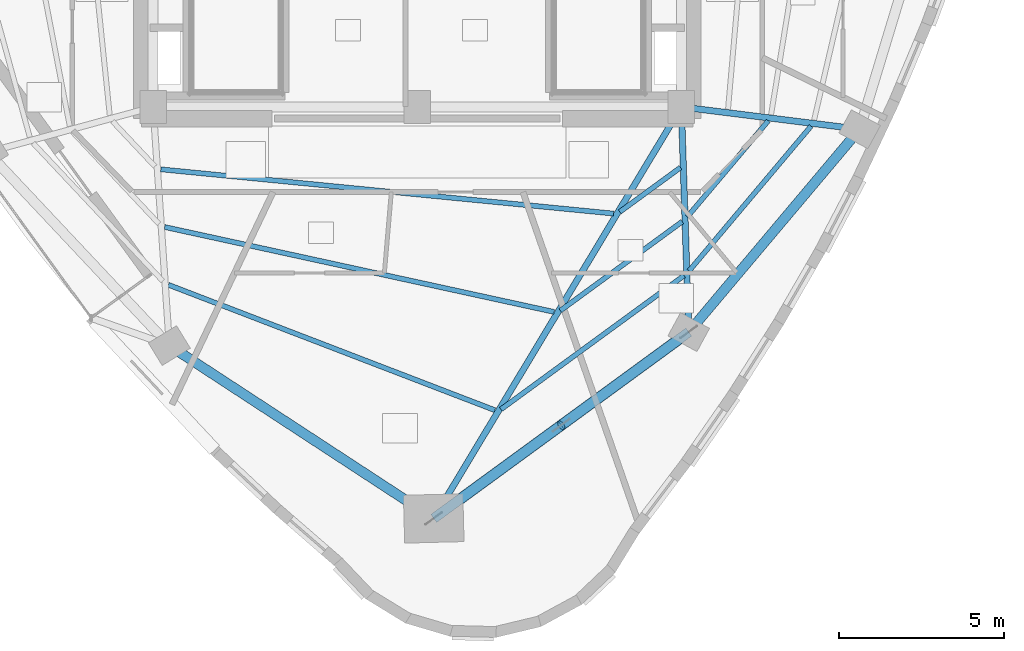
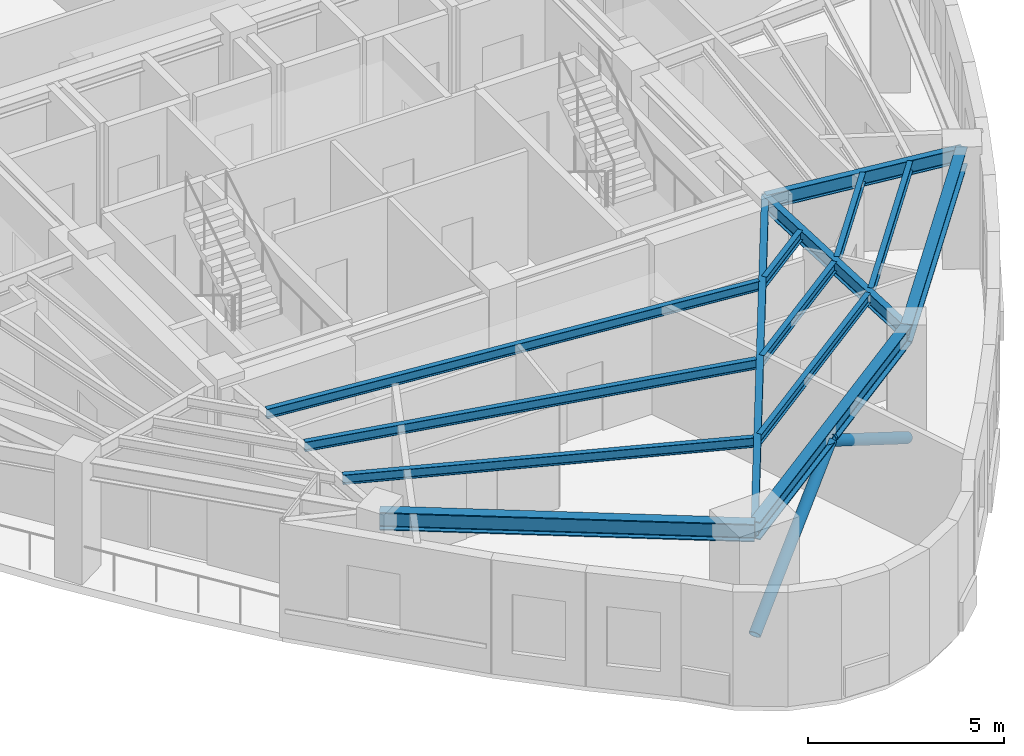
# One storey, part 3 of 13: 14 beams, 2 members.
"""IFC4 building model written with IfcOpenShell, lengths in metres."""

from ifc_helpers import new_model, si_unit, direction, frame, origin, origin_2d, place, context, subcontext, project, spatial, hollow_circle, i_section, extrude, material, material_profile, profile_set, type_object, element, save


model = new_model("IFC4")

# Units and contexts
model_context = context("Model", 3, precision=1e-05, world=origin(), true_north=direction((0.0, 1.0)))
body_context = subcontext(model_context, "Body", "Model", "MODEL_VIEW")
ifc_project = project(units=[si_unit("LENGTHUNIT", "METRE"), si_unit("AREAUNIT", "SQUARE_METRE"), si_unit("VOLUMEUNIT", "CUBIC_METRE"), si_unit("PLANEANGLEUNIT", "RADIAN"), si_unit("MASSUNIT", "GRAM", prefix="KILO")], contexts=[model_context])

# Site, building, storey
site_placement = place(None, origin())
site = spatial("IfcSite", under=ifc_project, at=site_placement, CompositionType="ELEMENT")
building_placement = place(site_placement, origin())
building = spatial("IfcBuilding", under=site, at=building_placement, Name="Ndelora Gate Hotel", CompositionType="ELEMENT")
storey_placement = place(building_placement, frame((0.0, 0.0, 235.949951171875)))
storey = spatial("IfcBuildingStorey", under=building, at=storey_placement, Name="L59", CompositionType="ELEMENT", Elevation=235.949951171875)

# Beams
ifc_material = material(Name="Steel S355", Category="steel")
ifc_material_profile_1 = material_profile(ifc_material, i_section(OverallWidth=0.14990234375, OverallDepth=0.300048828125, WebThickness=0.007080078125, FlangeThickness=0.0107421875, FilletRadius=0.014892578125, at=origin_2d()), Name="IPE 300")
ifc_profile_set_1 = profile_set([ifc_material_profile_1], Name="Steel S355")
beam_type_1 = type_object("IfcBeamType", Name="BM-JST-300", PredefinedType="JOIST", material=ifc_profile_set_1)
beam_1_placement = place(storey_placement, frame((-7.767578125, -8.489501953125, 3.400146484375), z_axis=(0.995253727902, -0.097314012848, 0.0), x_axis=(0.097314012848, 0.995253727902, 0.0)))
element("IfcBeam", 1, at=beam_1_placement, inside=storey, type_object=beam_type_1, Name="L59 Secondary Composite Floor Joist IN-4", PredefinedType="JOIST", context=body_context, shape_type="SweptSolid", body=[
    extrude(i_section(OverallWidth=0.14990234375, OverallDepth=0.300048828125, WebThickness=0.007080078125, FlangeThickness=0.0107421875, FilletRadius=0.014892578125, at=origin_2d()), origin(), (0.0, 0.0, 1.0), 13.7783203125),
])
beam_2_placement = place(storey_placement, frame((-7.651611328125, -10.236572265625, 3.400146484375), z_axis=(0.977032906758, -0.213088477191, 0.0), x_axis=(0.213088477191, 0.977032906758, 0.0)))
element("IfcBeam", 2, at=beam_2_placement, inside=storey, type_object=beam_type_1, Name="L59 Secondary Composite Floor Joist MID-4", PredefinedType="JOIST", context=body_context, shape_type="SweptSolid", body=[
    extrude(i_section(OverallWidth=0.14990234375, OverallDepth=0.300048828125, WebThickness=0.007080078125, FlangeThickness=0.0107421875, FilletRadius=0.014892578125, at=origin_2d()), origin(), (0.0, 0.0, 1.0), 12.075927734375),
])
beam_3_placement = place(storey_placement, frame((-7.5380859375, -11.98681640625, 3.400146484375), z_axis=(0.933489266504, -0.358605339227, 0.0), x_axis=(0.358605339227, 0.933489266504, 0.0)))
element("IfcBeam", 3, at=beam_3_placement, inside=storey, type_object=beam_type_1, Name="L59 Secondary Composite Floor Joist OUT-4", PredefinedType="JOIST", context=body_context, shape_type="SweptSolid", body=[
    extrude(i_section(OverallWidth=0.14990234375, OverallDepth=0.300048828125, WebThickness=0.007080078125, FlangeThickness=0.0107421875, FilletRadius=0.014892578125, at=origin_2d()), origin(), (0.0, 0.0, 1.0), 10.593994140625),
])
beam_4_placement = place(storey_placement, frame((6.134521484375, -9.77880859375, 3.400146484375), z_axis=(0.80739897839, 0.590005838696, 0.0), x_axis=(-0.590005838696, 0.80739897839, 0.0)))
element("IfcBeam", 4, at=beam_4_placement, inside=storey, type_object=beam_type_1, Name="L59 Secondary Composite Floor Joist IN-5", PredefinedType="JOIST", context=body_context, shape_type="SweptSolid", body=[
    extrude(i_section(OverallWidth=0.14990234375, OverallDepth=0.300048828125, WebThickness=0.007080078125, FlangeThickness=0.0107421875, FilletRadius=0.014892578125, at=origin_2d()), origin(), (0.0, 0.0, 1.0), 2.277587890625),
])
beam_5_placement = place(storey_placement, frame((4.33447265625, -12.77001953125, 3.400146484375), z_axis=(0.807439047151, 0.589951002318, 0.0), x_axis=(-0.589951002318, 0.807439047151, 0.0)))
element("IfcBeam", 5, at=beam_5_placement, inside=storey, type_object=beam_type_1, Name="L59 Secondary Composite Floor Joist MID-5", PredefinedType="JOIST", context=body_context, shape_type="SweptSolid", body=[
    extrude(i_section(OverallWidth=0.14990234375, OverallDepth=0.300048828125, WebThickness=0.007080078125, FlangeThickness=0.0107421875, FilletRadius=0.014892578125, at=origin_2d()), origin(), (0.0, 0.0, 1.0), 4.5732421875),
])
beam_6_placement = place(storey_placement, frame((2.5341796875, -15.761474609375, 3.400146484375), z_axis=(0.807430841486, 0.589962232874, 0.0), x_axis=(-0.589962232874, 0.807430841486, 0.0)))
element("IfcBeam", 6, at=beam_6_placement, inside=storey, type_object=beam_type_1, Name="L59 Secondary Composite Floor Joist OUT-5", PredefinedType="JOIST", context=body_context, shape_type="SweptSolid", body=[
    extrude(i_section(OverallWidth=0.14990234375, OverallDepth=0.300048828125, WebThickness=0.007080078125, FlangeThickness=0.0107421875, FilletRadius=0.014892578125, at=origin_2d()), origin(), (0.0, 0.0, 1.0), 6.869384765625),
])
beam_7_placement = place(storey_placement, frame((8.1796875, -9.9296875, 3.400146484375), z_axis=(0.644319387893, 0.764756514444, 0.0), x_axis=(-0.764756514444, 0.644319387893, 0.0)))
element("IfcBeam", 7, at=beam_7_placement, inside=storey, type_object=beam_type_1, Name="L59 Secondary Composite Floor Joist MID-6", PredefinedType="JOIST", context=body_context, shape_type="SweptSolid", body=[
    extrude(i_section(OverallWidth=0.14990234375, OverallDepth=0.300048828125, WebThickness=0.007080078125, FlangeThickness=0.0107421875, FilletRadius=0.014892578125, at=origin_2d()), origin(), (0.0, 0.0, 1.0), 3.806884765625),
])
beam_8_placement = place(storey_placement, frame((8.2333984375, -11.56640625, 3.400146484375), z_axis=(0.644324492463, 0.764752213735, 0.0), x_axis=(-0.764752213735, 0.644324492463, 0.0)))
element("IfcBeam", 8, at=beam_8_placement, inside=storey, type_object=beam_type_1, Name="L59 Secondary Composite Floor Joist OUT-6", PredefinedType="JOIST", context=body_context, shape_type="SweptSolid", body=[
    extrude(i_section(OverallWidth=0.14990234375, OverallDepth=0.300048828125, WebThickness=0.007080078125, FlangeThickness=0.0107421875, FilletRadius=0.014892578125, at=origin_2d()), origin(), (0.0, 0.0, 1.0), 5.735107421875),
])
ifc_material_profile_2 = material_profile(ifc_material, i_section(OverallWidth=0.18994140625, OverallDepth=0.449951171875, WebThickness=0.009521484375, FlangeThickness=0.0146484375, FilletRadius=0.02099609375, at=origin_2d()), Name="IPE 450")
ifc_profile_set_2 = profile_set([ifc_material_profile_2], Name="Steel S355")
beam_type_2 = type_object("IfcBeamType", Name="BM-RAD-450", PredefinedType="BEAM", material=ifc_profile_set_2)
beam_9_placement = place(storey_placement, frame((8.0, -6.60009765625, 3.324951171875), z_axis=(-0.515620753203, -0.856816922607, 0.0), x_axis=(0.856816922607, -0.515620753203, 0.0)))
element("IfcBeam", 9, at=beam_9_placement, inside=storey, type_object=beam_type_2, Name="L59 Radial Floor Girder 5", PredefinedType="BEAM", context=body_context, shape_type="SweptSolid", body=[
    extrude(i_section(OverallWidth=0.18994140625, OverallDepth=0.449951171875, WebThickness=0.009521484375, FlangeThickness=0.0146484375, FilletRadius=0.02099609375, at=origin_2d()), origin(), (0.0, 0.0, 1.0), 14.546875),
])
beam_10_placement = place(storey_placement, frame((8.0, -6.60009765625, 3.324951171875), z_axis=(0.032809705109, -0.999461616697, 0.0), x_axis=(0.999461616697, 0.032809705109, 0.0)))
element("IfcBeam", 10, at=beam_10_placement, inside=storey, type_object=beam_type_2, Name="L59 Radial Floor Girder 6", PredefinedType="BEAM", context=body_context, shape_type="SweptSolid", body=[
    extrude(i_section(OverallWidth=0.18994140625, OverallDepth=0.449951171875, WebThickness=0.009521484375, FlangeThickness=0.0146484375, FilletRadius=0.02099609375, at=origin_2d()), origin(), (0.0, 0.0, 1.0), 6.823486328125),
])
beam_11_placement = place(storey_placement, frame((8.0, -6.60009765625, 3.324951171875), z_axis=(0.992266830725, -0.124123070552, 0.0), x_axis=(0.124123070552, 0.992266830725, 0.0)))
element("IfcBeam", 11, at=beam_11_placement, inside=storey, type_object=beam_type_2, Name="L59 Radial Floor Girder 7", PredefinedType="BEAM", context=body_context, shape_type="SweptSolid", body=[
    extrude(i_section(OverallWidth=0.18994140625, OverallDepth=0.449951171875, WebThickness=0.009521484375, FlangeThickness=0.0146484375, FilletRadius=0.02099609375, at=origin_2d()), origin(), (0.0, 0.0, 1.0), 5.4423828125),
])
ifc_material_profile_3 = material_profile(ifc_material, i_section(OverallWidth=0.300048828125, OverallDepth=0.550048828125, WebThickness=0.014892578125, FlangeThickness=0.029052734375, FilletRadius=0.027099609375, at=origin_2d()), Name="HEB 550")
ifc_profile_set_3 = profile_set([ifc_material_profile_3], Name="Steel S355")
beam_type_3 = type_object("IfcBeamType", Name="BM-RING-550", PredefinedType="SPANDREL", material=ifc_profile_set_3)
beam_12_placement = place(storey_placement, frame((-7.50830078125, -13.828369140625, 3.275146484375), z_axis=(0.836963769915, -0.547258300851, 0.0), x_axis=(0.547258300851, 0.836963769915, 0.0)))
element("IfcBeam", 12, at=beam_12_placement, inside=storey, type_object=beam_type_3, Name="L59 Perimeter Spandrel Girder 4", PredefinedType="SPANDREL", context=body_context, shape_type="SweptSolid", body=[
    extrude(i_section(OverallWidth=0.300048828125, OverallDepth=0.550048828125, WebThickness=0.014892578125, FlangeThickness=0.029052734375, FilletRadius=0.027099609375, at=origin_2d()), origin(), (0.0, 0.0, 1.0), 9.5673828125),
])
beam_13_placement = place(storey_placement, frame((0.499267578125, -19.064208984375, 3.275146484375), z_axis=(0.807421980226, 0.58997436033, 0.0), x_axis=(-0.58997436033, 0.807421980226, 0.0)))
element("IfcBeam", 13, at=beam_13_placement, inside=storey, type_object=beam_type_3, Name="L59 Perimeter Spandrel Girder 5", PredefinedType="SPANDREL", context=body_context, shape_type="SweptSolid", body=[
    extrude(i_section(OverallWidth=0.300048828125, OverallDepth=0.550048828125, WebThickness=0.014892578125, FlangeThickness=0.029052734375, FilletRadius=0.027099609375, at=origin_2d()), origin(), (0.0, 0.0, 1.0), 9.56689453125),
])
beam_14_placement = place(storey_placement, frame((8.223876953125, -13.419921875, 3.275146484375), z_axis=(0.644308845181, 0.764765396721, 0.0), x_axis=(-0.764765396721, 0.644308845181, 0.0)))
element("IfcBeam", 14, at=beam_14_placement, inside=storey, type_object=beam_type_3, Name="L59 Perimeter Spandrel Girder 6", PredefinedType="SPANDREL", context=body_context, shape_type="SweptSolid", body=[
    extrude(i_section(OverallWidth=0.300048828125, OverallDepth=0.550048828125, WebThickness=0.014892578125, FlangeThickness=0.029052734375, FilletRadius=0.027099609375, at=origin_2d()), origin(), (0.0, 0.0, 1.0), 8.0341796875),
])

# Members
ifc_material_profile_4 = material_profile(ifc_material, hollow_circle(Radius=0.161865234375, WallThickness=0.01611328125, at=origin_2d()), Name="CHS 323.9x16")
ifc_profile_set_4 = profile_set([ifc_material_profile_4], Name="Steel S355")
member_type = type_object("IfcMemberType", Name="MB-TUBE-324", PredefinedType="BRACE", material=ifc_profile_set_4)
for number, where, z_axis, x_axis, name in (
    (15, (0.499267578125, -19.064208984375, 0.02001953125), (0.685309419613, 0.500769714964, 0.528753904917), (-0.58999099658, 0.807409824039, 0.0), "L59 Perimeter Braced-Tube Diagonal 5A"),
    (16, (8.223876953125, -13.419921875, 0.02001953125), (-0.685324285825, -0.500737257892, 0.528765375018), (0.58995772333, -0.807434136437, 0.0), "L59 Perimeter Braced-Tube Diagonal 5B"),
):
    element("IfcMember", number, at=place(storey_placement, frame(where, z_axis=z_axis, x_axis=x_axis)), inside=storey, type_object=member_type, Name=name, PredefinedType="BRACE", context=body_context, shape_type="SweptSolid", body=[
        extrude(hollow_circle(Radius=0.161865234375, WallThickness=0.01611328125, at=origin_2d()), origin(), (0.0, 0.0, 1.0), 5.6357421875),
    ])

save(model, "model.ifc")
